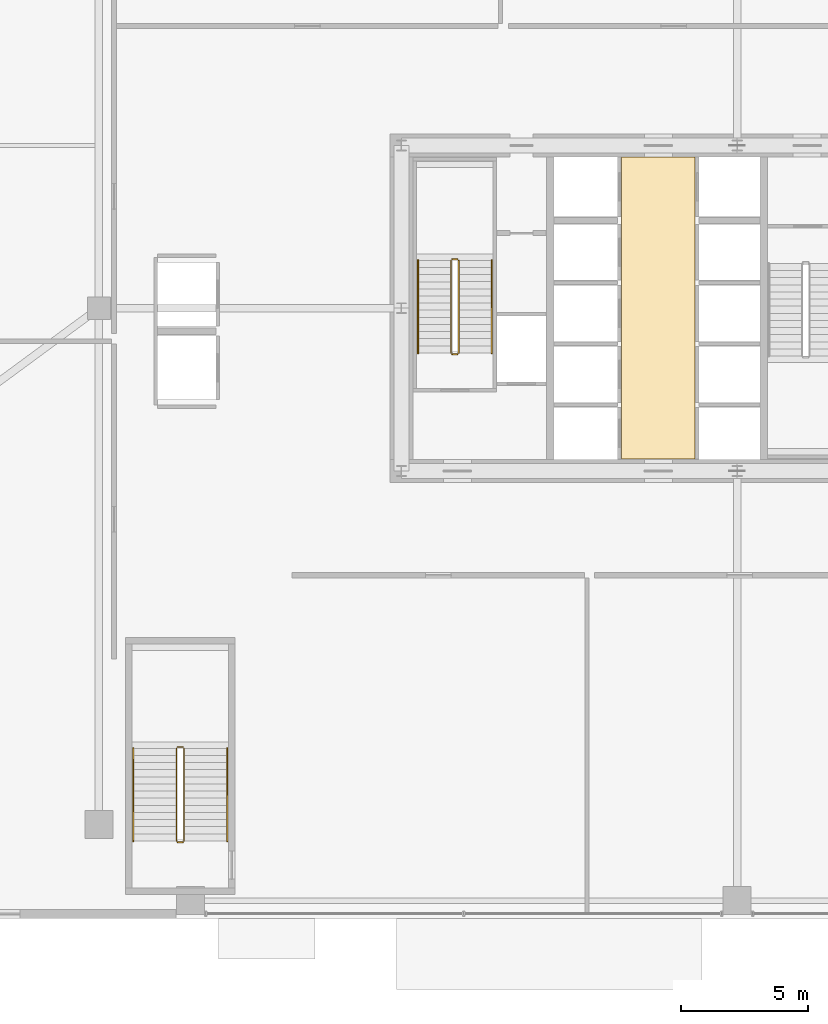
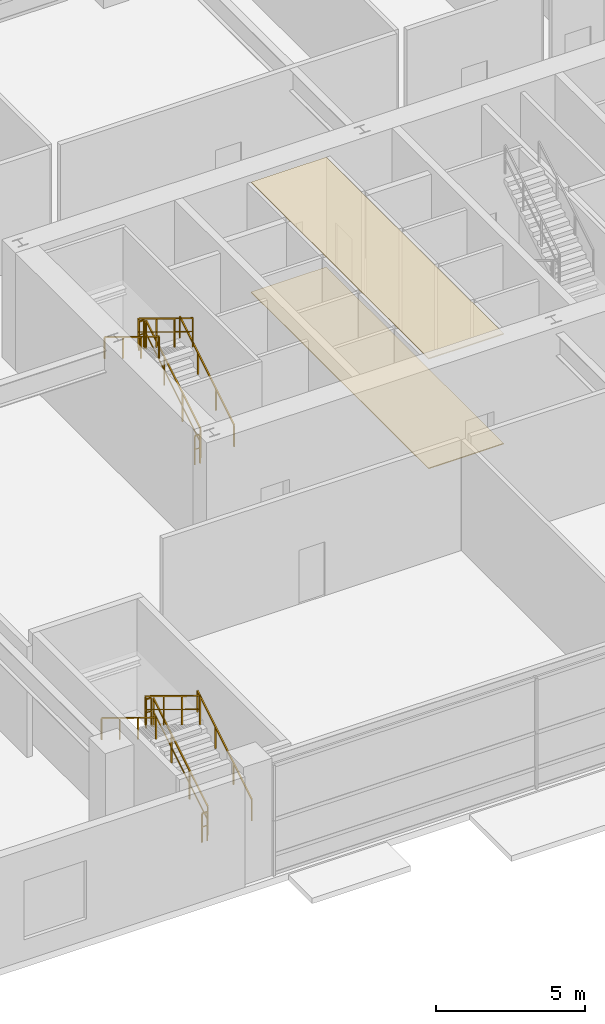
# One storey, part 36 of 37: 12 railings, 2 coverings.
"""IFC4 building model written with IfcOpenShell, lengths in metres."""

import ifcopenshell
import ifcopenshell.guid

model = None  # the IFC model being written
_history = None  # IfcOwnerHistory: only IFC2X3 demands one
_inside = {}  # id of a spatial element -> (the spatial element, [elements in it])
_under = {}  # id of a project, library or spatial element -> (it, [spatial elements below it])
_declared = {}  # id of a project -> (the project, [libraries it declares])
_typed = {}  # id of a type object -> (the type object, [elements of that type])
_made_of = {}  # id of a material, layer set ... -> (it, [elements and type objects made of it])


def new_model(schema):
    """Start an empty IFC model of exactly this schema.

    Asked for "IFC4X3", IfcOpenShell would pick the latest addendum, in which some entities
    have other attributes; the version numbers below select the first issue.
    IFC2X3 requires an IfcOwnerHistory on every rooted entity: one is made here for all.
    """
    global model, _history
    if schema == "IFC4X3":
        model = ifcopenshell.file(schema_version=(4, 3, 0, 0))
    else:
        model = ifcopenshell.file(schema=schema)
    _inside.clear()
    _under.clear()
    _declared.clear()
    _typed.clear()
    _made_of.clear()
    _history = None
    if model.schema == "IFC2X3":
        org = make("IfcOrganization", Name="unknown")
        user = make(
            "IfcPersonAndOrganization",
            ThePerson=make("IfcPerson", FamilyName="unknown"),
            TheOrganization=org,
        )
        app = make(
            "IfcApplication",
            ApplicationDeveloper=org,
            Version="unknown",
            ApplicationFullName="unknown",
            ApplicationIdentifier="unknown",
        )
        _history = make(
            "IfcOwnerHistory",
            OwningUser=user,
            OwningApplication=app,
            ChangeAction="ADDED",
            CreationDate=0,
        )
    return model


def make(cls, **values):
    """One entity of the class cls with the attributes given. An attribute that is None is left unset."""
    return model.create_entity(
        cls, **{name: value for name, value in values.items() if value is not None}
    )


def rooted(cls, **values):
    """An entity with a GlobalId (a new one), such as an element, a storey or a relation."""
    return make(cls, GlobalId=ifcopenshell.guid.new(), OwnerHistory=_history, **values)


def si_unit(unit_type, name, prefix=None):
    """IfcSIUnit, for example si_unit("LENGTHUNIT", "METRE", prefix="MILLI")."""
    return make("IfcSIUnit", UnitType=unit_type, Prefix=prefix, Name=name)


def assignment(units):
    """IfcUnitAssignment: the units of a project."""
    return None if units is None else make("IfcUnitAssignment", Units=units)


def point(xyz):
    """IfcCartesianPoint."""
    return None if xyz is None else make("IfcCartesianPoint", Coordinates=xyz)


def direction(xyz):
    """IfcDirection."""
    return None if xyz is None else make("IfcDirection", DirectionRatios=xyz)


def frame(location, z_axis=None, x_axis=None):
    """IfcAxis2Placement3D, a coordinate frame: its origin and axes. An axis left out is left unset."""
    return make(
        "IfcAxis2Placement3D",
        Location=point(location),
        Axis=direction(z_axis),
        RefDirection=direction(x_axis),
    )


def frame_2d(location, x_axis=None):
    """IfcAxis2Placement2D, a coordinate frame in the plane: its origin and x axis."""
    return make(
        "IfcAxis2Placement2D", Location=point(location), RefDirection=direction(x_axis)
    )


def origin():
    """The frame at (0, 0, 0) with its axes left unset."""
    return frame((0.0, 0.0, 0.0))


def origin_2d():
    """The frame at (0, 0) in the plane with its x axis left unset."""
    return frame_2d((0.0, 0.0))


def place(relative_to, where):
    """IfcLocalPlacement: puts the frame where relative to a parent placement (None: the world)."""
    return make(
        "IfcLocalPlacement", PlacementRelTo=relative_to, RelativePlacement=where
    )


def context(
    kind, dimensions, precision=None, world=None, true_north=None, identifier=None
):
    """IfcGeometricRepresentationContext, for example the 3D "Model" context."""
    return make(
        "IfcGeometricRepresentationContext",
        ContextIdentifier=identifier,
        ContextType=kind,
        CoordinateSpaceDimension=dimensions,
        Precision=precision,
        WorldCoordinateSystem=world,
        TrueNorth=true_north,
    )


def subcontext(parent, identifier, kind, view, scale=None):
    """IfcGeometricRepresentationSubContext, for example "Body" below "Model"."""
    return make(
        "IfcGeometricRepresentationSubContext",
        ContextIdentifier=identifier,
        ContextType=kind,
        ParentContext=parent,
        TargetScale=scale,
        TargetView=view,
    )


def project(units=None, contexts=None):
    """IfcProject with its units and contexts."""
    return rooted(
        "IfcProject",
        Name="project",
        RepresentationContexts=contexts,
        UnitsInContext=assignment(units),
    )


def spatial(cls, under=None, at=None, **own):
    """A site, building, storey or space (cls), placed at a placement, below another one or the project."""
    s = rooted(cls, ObjectPlacement=at, **own)
    if under is not None:
        _under.setdefault(under.id(), (under, []))[1].append(s)
    return s


def polyline(points):
    """IfcPolyline through the points."""
    return make("IfcPolyline", Points=[point(p) for p in points])


def profile(cls, at=None, kind="AREA", **sizes):
    """A parametric profile (cls). Its sizes go by their IFC names, for example OverallWidth=200.0."""
    return make(cls, ProfileType=kind, Position=at, **sizes)


def rectangle(**sizes):
    """IfcRectangleProfileDef."""
    return profile("IfcRectangleProfileDef", **sizes)


def outline(outer, holes=None, kind="AREA"):
    """IfcArbitraryClosedProfileDef: a profile drawn as a closed curve; with holes, ...WithVoids."""
    if holes is None:
        return make("IfcArbitraryClosedProfileDef", ProfileType=kind, OuterCurve=outer)
    return make(
        "IfcArbitraryProfileDefWithVoids",
        ProfileType=kind,
        OuterCurve=outer,
        InnerCurves=holes,
    )


def extrude(swept, where, along, depth):
    """IfcExtrudedAreaSolid: the profile swept, set in the frame where, extruded along a direction by depth."""
    return make(
        "IfcExtrudedAreaSolid",
        SweptArea=swept,
        Position=where,
        ExtrudedDirection=direction(along),
        Depth=depth,
    )


def shape(context_of_items, identifier, shape_type, items):
    """IfcShapeRepresentation: the items that make up one representation, for example the "Body"."""
    return make(
        "IfcShapeRepresentation",
        ContextOfItems=context_of_items,
        RepresentationIdentifier=identifier,
        RepresentationType=shape_type,
        Items=items,
    )


def source(mapping_origin, context_of_items, identifier, shape_type, items):
    """IfcRepresentationMap: a shape defined once, which mapped items show again and again."""
    return make(
        "IfcRepresentationMap",
        MappingOrigin=mapping_origin,
        MappedRepresentation=shape(context_of_items, identifier, shape_type, items),
    )


def transform(
    local_origin,
    x_axis=None,
    y_axis=None,
    z_axis=None,
    scale=None,
    scale2=None,
    scale3=None,
    uniform=True,
):
    """IfcCartesianTransformationOperator3D, or its non-uniform kind. x_axis, y_axis, z_axis: its Axis1, 2, 3."""
    if uniform:
        return make(
            "IfcCartesianTransformationOperator3D",
            Axis1=direction(x_axis),
            Axis2=direction(y_axis),
            LocalOrigin=point(local_origin),
            Scale=scale,
            Axis3=direction(z_axis),
        )
    return make(
        "IfcCartesianTransformationOperator3DnonUniform",
        Axis1=direction(x_axis),
        Axis2=direction(y_axis),
        LocalOrigin=point(local_origin),
        Scale=scale,
        Axis3=direction(z_axis),
        Scale2=scale2,
        Scale3=scale3,
    )


def mapped(mapping_source, mapping_target):
    """IfcMappedItem: shows the shape of a source again, moved by a transform."""
    return make(
        "IfcMappedItem", MappingSource=mapping_source, MappingTarget=mapping_target
    )


def material(Name=None, Category=None):
    """IfcMaterial."""
    return make("IfcMaterial", Name=Name, Category=Category)


def layer(
    of_material, thickness, ventilated=None, Name=None, Category=None, Priority=None
):
    """IfcMaterialLayer: one layer of a wall or slab, of a material (None: an air gap)."""
    return make(
        "IfcMaterialLayer",
        Material=of_material,
        LayerThickness=thickness,
        IsVentilated=ventilated,
        Name=Name,
        Category=Category,
        Priority=Priority,
    )


def layer_set(layers, Name=None):
    """IfcMaterialLayerSet."""
    return make("IfcMaterialLayerSet", MaterialLayers=layers, LayerSetName=Name)


def made_of(thing, what):
    """Note that an element or type object is made of a material, layer set ...; save() writes the relation."""
    if what is not None:
        _made_of.setdefault(what.id(), (what, []))[1].append(thing)
    return thing


def type_object(cls, material=None, **own):
    """A type object (cls), such as IfcWallType, which elements share."""
    return made_of(rooted(cls, **own), material)


def element(
    cls,
    number,
    at=None,
    inside=None,
    cuts=None,
    type_object=None,
    material=None,
    context=None,
    identifier="Body",
    shape_type=None,
    held_by="IfcProductDefinitionShape",
    body=None,
    shapes=None,
    **own,
):
    """One element of the class cls, such as IfcWall. Its Tag is "e" and its number.

    at: its placement. inside: the storey or other place that contains it. cuts: it is an
    opening in that element (IfcRelVoidsElement). A single representation is given by context,
    identifier, shape_type and body (its items); several are given by shapes. held_by: the class
    of the entity that holds the representations. save() writes the other relations.
    """
    e = rooted(cls, Tag="e%d" % number, ObjectPlacement=at, **own)
    if body is not None:
        shapes = [shape(context, identifier, shape_type, body)]
    if shapes is not None:
        e.Representation = make(held_by, Representations=shapes)
    if inside is not None:
        _inside.setdefault(inside.id(), (inside, []))[1].append(e)
    if cuts is not None:
        rooted(
            "IfcRelVoidsElement", RelatingBuildingElement=cuts, RelatedOpeningElement=e
        )
    if type_object is not None:
        _typed.setdefault(type_object.id(), (type_object, []))[1].append(e)
    return made_of(e, material)


def aggregate(whole, parts):
    """IfcRelAggregates: a whole, such as a stair, and the parts it consists of."""
    return rooted("IfcRelAggregates", RelatingObject=whole, RelatedObjects=parts)


def save(model, path):
    """Write the relations noted so far, then the file.

    IfcRelAggregates (storeys below a building ...), IfcRelContainedInSpatialStructure (elements
    in a storey), IfcRelDefinesByType, IfcRelAssociatesMaterial and IfcRelDeclares: one each for
    every whole, place, type object, material and project.
    """
    for whole, parts in _under.values():
        aggregate(whole, parts)
    for where, things in _inside.values():
        rooted(
            "IfcRelContainedInSpatialStructure",
            RelatedElements=things,
            RelatingStructure=where,
        )
    for kind, things in _typed.values():
        rooted("IfcRelDefinesByType", RelatedObjects=things, RelatingType=kind)
    for what, things in _made_of.values():
        rooted("IfcRelAssociatesMaterial", RelatedObjects=things, RelatingMaterial=what)
    for by, libraries in _declared.values():
        rooted("IfcRelDeclares", RelatingContext=by, RelatedDefinitions=libraries)
    model.write(path)


model = new_model("IFC4")

# Units and contexts
model_context = context("Model", 3, precision=1e-05, world=origin(), true_north=direction((0.0, 1.0)))
body_context = subcontext(model_context, "Body", "Model", "MODEL_VIEW")
ifc_project = project(units=[si_unit("LENGTHUNIT", "METRE"), si_unit("AREAUNIT", "SQUARE_METRE"), si_unit("VOLUMEUNIT", "CUBIC_METRE"), si_unit("PLANEANGLEUNIT", "RADIAN"), si_unit("MASSUNIT", "GRAM", prefix="KILO"), si_unit("THERMODYNAMICTEMPERATUREUNIT", "KELVIN"), si_unit("POWERUNIT", "WATT")], contexts=[model_context])

# Site, building, storey
site_placement = place(None, origin())
site = spatial("IfcSite", under=ifc_project, at=site_placement, CompositionType="ELEMENT")
building_placement = place(site_placement, origin())
building = spatial("IfcBuilding", under=site, at=building_placement, Name="Yuzanri Waterfront Tower", CompositionType="ELEMENT")
storey_placement = place(building_placement, frame((0.0, 0.0, 5.39990234375)))
storey = spatial("IfcBuildingStorey", under=building, at=storey_placement, Name="L02", CompositionType="ELEMENT", Elevation=5.39990234375)

# Coverings
ifc_material_1 = material(Name="Anodized Architectural Bronze", Category="metal")
ifc_layer_1 = layer(ifc_material_1, 0.0400390625)
ifc_layer_set_1 = layer_set([ifc_layer_1], Name="Anodized Architectural Bronze")
covering_type_1 = type_object("IfcCoveringType", Name="Anodized Bronze Linear Baffle Lobby Ceiling 40", PredefinedType="CEILING", material=ifc_layer_set_1)
covering_1_placement = place(storey_placement, frame((0.0, 0.0, 4.47998046875)))
element("IfcCovering", 1, at=covering_1_placement, inside=storey, type_object=covering_type_1, Name="L02 Lift Lobby Bronze Baffle Ceiling", PredefinedType="CEILING", context=body_context, shape_type="SweptSolid", body=[
    extrude(outline(polyline([(32.449951171875, 19.860107421875), (35.35009765625, 19.860107421875), (35.35009765625, 31.739990234375), (32.449951171875, 31.739990234375), (32.449951171875, 19.860107421875)])), origin(), (0.0, 0.0, 1.0), 0.0400390625),
])
ifc_material_2 = material(Name="Honed Cream Limestone", Category="masonry")
ifc_layer_2 = layer(ifc_material_2, 0.034912109375)
ifc_layer_set_2 = layer_set([ifc_layer_2], Name="Honed Cream Limestone")
covering_type_2 = type_object("IfcCoveringType", Name="Honed Limestone Lobby Floor Finish 35", PredefinedType="FLOORING", material=ifc_layer_set_2)
covering_2_placement = place(storey_placement, origin())
element("IfcCovering", 2, at=covering_2_placement, inside=storey, type_object=covering_type_2, Name="L02 Lift Lobby Limestone Floor Finish", PredefinedType="FLOORING", context=body_context, shape_type="SweptSolid", body=[
    extrude(outline(polyline([(32.449951171875, 19.860107421875), (35.35009765625, 19.860107421875), (35.35009765625, 31.739990234375), (32.449951171875, 31.739990234375), (32.449951171875, 19.860107421875)])), origin(), (0.0, 0.0, 1.0), 0.03515625),
])

# Railings
ifc_material_3 = material(Name="Painted Galvanized Fire Steel", Category="steel")
ifc_layer_3 = layer(ifc_material_3, 0.06005859375)
ifc_layer_set_3 = layer_set([ifc_layer_3], Name="Painted Galvanized Fire Steel")
railing_type_1 = type_object("IfcRailingType", Name="Painted Steel Stairwell Guardrail 1120", PredefinedType="GUARDRAIL", material=ifc_layer_set_3)
shared_shape_1 = source(origin(), body_context, "Body", "SweptSolid", [
    extrude(rectangle(XDim=0.050048828125, YDim=0.050048828125, at=origin_2d()), frame((0.0, 0.0, 1.1748046875), z_axis=(-1.0, 0.0, 0.0), x_axis=(0.0, -1.0, 0.0)), (0.0, 0.0, 1.0), 0.199951171875),
    extrude(rectangle(XDim=0.035888671875, YDim=0.030029296875, at=origin_2d()), frame((0.0, 0.0, 0.6240234375), z_axis=(-1.0, 0.0, 0.0), x_axis=(0.0, -1.0, 0.0)), (0.0, 0.0, 1.0), 0.199951171875),
    extrude(rectangle(XDim=0.0458984375, YDim=0.0458984375, at=origin_2d()), origin(), (0.0, 0.0, 1.0), 1.14990234375),
    extrude(rectangle(XDim=0.0458984375, YDim=0.0458984375, at=origin_2d()), frame((-0.199951171875, 0.0, 0.0)), (0.0, 0.0, 1.0), 1.14990234375),
])
for number, where, name in (
    (3, (26.0, 27.72998046875, 2.400146484375), "L02 ST-01 stair guard 2"),
    (4, (26.0, 23.989990234375, 0.0), "L02 ST-01 stair guard 4"),
    (5, (15.199951171875, 8.5400390625, 2.400146484375), "L02 PST-01 stair guard 2"),
    (6, (15.199951171875, 4.800048828125, 0.0), "L02 PST-01 stair guard 4"),
):
    element("IfcRailing", number, at=place(storey_placement, frame(where)), inside=storey, type_object=railing_type_1, Name=name, PredefinedType="GUARDRAIL", context=body_context, shape_type="MappedRepresentation", body=[
        mapped(shared_shape_1, transform((0.0, 0.0, 0.0), scale=1.0)),
    ])
shared_shape_2 = source(origin(), body_context, "Body", "SweptSolid", [
    extrude(rectangle(XDim=0.050048828125, YDim=0.050048828125, at=origin_2d()), frame((0.0, 0.0, 1.1748046875), z_axis=(0.0, 0.852850264322, 0.5221555579), x_axis=(-1.0, 0.0, 0.0)), (0.0, 0.0, 1.0), 4.267822265625),
    extrude(rectangle(XDim=0.035888671875, YDim=0.030029296875, at=origin_2d()), frame((0.0, 0.0, 0.6240234375), z_axis=(0.0, 0.852850264322, 0.5221555579), x_axis=(-1.0, 0.0, 0.0)), (0.0, 0.0, 1.0), 4.267822265625),
    extrude(rectangle(XDim=0.0458984375, YDim=0.0458984375, at=origin_2d()), origin(), (0.0, 0.0, 1.0), 1.14990234375),
    extrude(rectangle(XDim=0.0458984375, YDim=0.0458984375, at=origin_2d()), frame((0.0, 1.21337890625, 0.742919921875)), (0.0, 0.0, 1.0), 1.14990234375),
    extrude(rectangle(XDim=0.0458984375, YDim=0.0458984375, at=origin_2d()), frame((0.0, 2.426513671875, 1.485595703125)), (0.0, 0.0, 1.0), 1.14990234375),
    extrude(rectangle(XDim=0.0458984375, YDim=0.0458984375, at=origin_2d()), frame((0.0, 3.639892578125, 2.228515625)), (0.0, 0.0, 1.0), 1.14990234375),
])
for number, where, name in (
    (7, (26.050048828125, 24.0400390625, 0.171630859375), "L02 ST-01 stair guard 1"),
    (8, (15.25, 4.85009765625, 0.171630859375), "L02 PST-01 stair guard 1"),
):
    element("IfcRailing", number, at=place(storey_placement, frame(where)), inside=storey, type_object=railing_type_1, Name=name, PredefinedType="GUARDRAIL", context=body_context, shape_type="MappedRepresentation", body=[
        mapped(shared_shape_2, transform((0.0, 0.0, 0.0), scale=1.0)),
    ])
shared_shape_3 = source(origin(), body_context, "Body", "SweptSolid", [
    extrude(rectangle(XDim=0.050048828125, YDim=0.050048828125, at=origin_2d()), frame((0.0, 0.0, 1.1748046875), z_axis=(0.0, -0.852850264322, 0.5221555579), x_axis=(1.0, 0.0, 0.0)), (0.0, 0.0, 1.0), 4.267822265625),
    extrude(rectangle(XDim=0.035888671875, YDim=0.030029296875, at=origin_2d()), frame((0.0, 0.0, 0.6240234375), z_axis=(0.0, -0.852850264322, 0.5221555579), x_axis=(1.0, 0.0, 0.0)), (0.0, 0.0, 1.0), 4.267822265625),
    extrude(rectangle(XDim=0.0458984375, YDim=0.0458984375, at=origin_2d()), origin(), (0.0, 0.0, 1.0), 1.14990234375),
    extrude(rectangle(XDim=0.0458984375, YDim=0.0458984375, at=origin_2d()), frame((0.0, -1.21337890625, 0.742919921875)), (0.0, 0.0, 1.0), 1.14990234375),
    extrude(rectangle(XDim=0.0458984375, YDim=0.0458984375, at=origin_2d()), frame((0.0, -2.426513671875, 1.485595703125)), (0.0, 0.0, 1.0), 1.14990234375),
    extrude(rectangle(XDim=0.0458984375, YDim=0.0458984375, at=origin_2d()), frame((0.0, -3.639892578125, 2.228515625)), (0.0, 0.0, 1.0), 1.14990234375),
])
for number, where, name in (
    (9, (25.75, 27.679931640625, 2.571533203125), "L02 ST-01 stair guard 3"),
    (10, (14.949951171875, 8.489990234375, 2.571533203125), "L02 PST-01 stair guard 3"),
):
    element("IfcRailing", number, at=place(storey_placement, frame(where)), inside=storey, type_object=railing_type_1, Name=name, PredefinedType="GUARDRAIL", context=body_context, shape_type="MappedRepresentation", body=[
        mapped(shared_shape_3, transform((0.0, 0.0, 0.0), scale=1.0)),
    ])
ifc_material_4 = material(Name="Anodized Architectural Bronze", Category="metal")
ifc_layer_4 = layer(ifc_material_4, 0.050048828125)
ifc_layer_set_4 = layer_set([ifc_layer_4], Name="Anodized Architectural Bronze")
railing_type_2 = type_object("IfcRailingType", Name="Brushed Bronze Stair Pitch Handrail 920", PredefinedType="HANDRAIL", material=ifc_layer_set_4)
shared_shape_4 = source(origin(), body_context, "Body", "SweptSolid", [
    extrude(rectangle(XDim=0.050048828125, YDim=0.050048828125, at=origin_2d()), frame((0.0, 0.0, 0.875), z_axis=(0.0, 0.852850264322, 0.5221555579), x_axis=(-1.0, 0.0, 0.0)), (0.0, 0.0, 1.0), 4.267822265625),
    extrude(rectangle(XDim=0.0458984375, YDim=0.0458984375, at=origin_2d()), origin(), (0.0, 0.0, 1.0), 0.849853515625),
    extrude(rectangle(XDim=0.0458984375, YDim=0.0458984375, at=origin_2d()), frame((0.0, 1.21337890625, 0.742919921875)), (0.0, 0.0, 1.0), 0.849853515625),
    extrude(rectangle(XDim=0.0458984375, YDim=0.0458984375, at=origin_2d()), frame((0.0, 2.426513671875, 1.485595703125)), (0.0, 0.0, 1.0), 0.849853515625),
    extrude(rectangle(XDim=0.0458984375, YDim=0.0458984375, at=origin_2d()), frame((0.0, 3.639892578125, 2.228515625)), (0.0, 0.0, 1.0), 0.849853515625),
])
for number, where, name in (
    (11, (27.35009765625, 24.0400390625, 0.171630859375), "L02 ST-01 stair handrail 1"),
    (12, (16.949951171875, 4.85009765625, 0.171630859375), "L02 PST-01 stair handrail 1"),
):
    element("IfcRailing", number, at=place(storey_placement, frame(where)), inside=storey, type_object=railing_type_2, Name=name, PredefinedType="HANDRAIL", context=body_context, shape_type="MappedRepresentation", body=[
        mapped(shared_shape_4, transform((0.0, 0.0, 0.0), scale=1.0)),
    ])
shared_shape_5 = source(origin(), body_context, "Body", "SweptSolid", [
    extrude(rectangle(XDim=0.050048828125, YDim=0.050048828125, at=origin_2d()), frame((0.0, 0.0, 0.875), z_axis=(0.0, -0.852850264322, 0.5221555579), x_axis=(1.0, 0.0, 0.0)), (0.0, 0.0, 1.0), 4.267822265625),
    extrude(rectangle(XDim=0.0458984375, YDim=0.0458984375, at=origin_2d()), origin(), (0.0, 0.0, 1.0), 0.849853515625),
    extrude(rectangle(XDim=0.0458984375, YDim=0.0458984375, at=origin_2d()), frame((0.0, -1.21337890625, 0.742919921875)), (0.0, 0.0, 1.0), 0.849853515625),
    extrude(rectangle(XDim=0.0458984375, YDim=0.0458984375, at=origin_2d()), frame((0.0, -2.426513671875, 1.485595703125)), (0.0, 0.0, 1.0), 0.849853515625),
    extrude(rectangle(XDim=0.0458984375, YDim=0.0458984375, at=origin_2d()), frame((0.0, -3.639892578125, 2.228515625)), (0.0, 0.0, 1.0), 0.849853515625),
])
for number, where, name in (
    (13, (24.449951171875, 27.679931640625, 2.571533203125), "L02 ST-01 stair handrail 2"),
    (14, (13.25, 8.489990234375, 2.571533203125), "L02 PST-01 stair handrail 2"),
):
    element("IfcRailing", number, at=place(storey_placement, frame(where)), inside=storey, type_object=railing_type_2, Name=name, PredefinedType="HANDRAIL", context=body_context, shape_type="MappedRepresentation", body=[
        mapped(shared_shape_5, transform((0.0, 0.0, 0.0), scale=1.0)),
    ])

save(model, "model.ifc")
